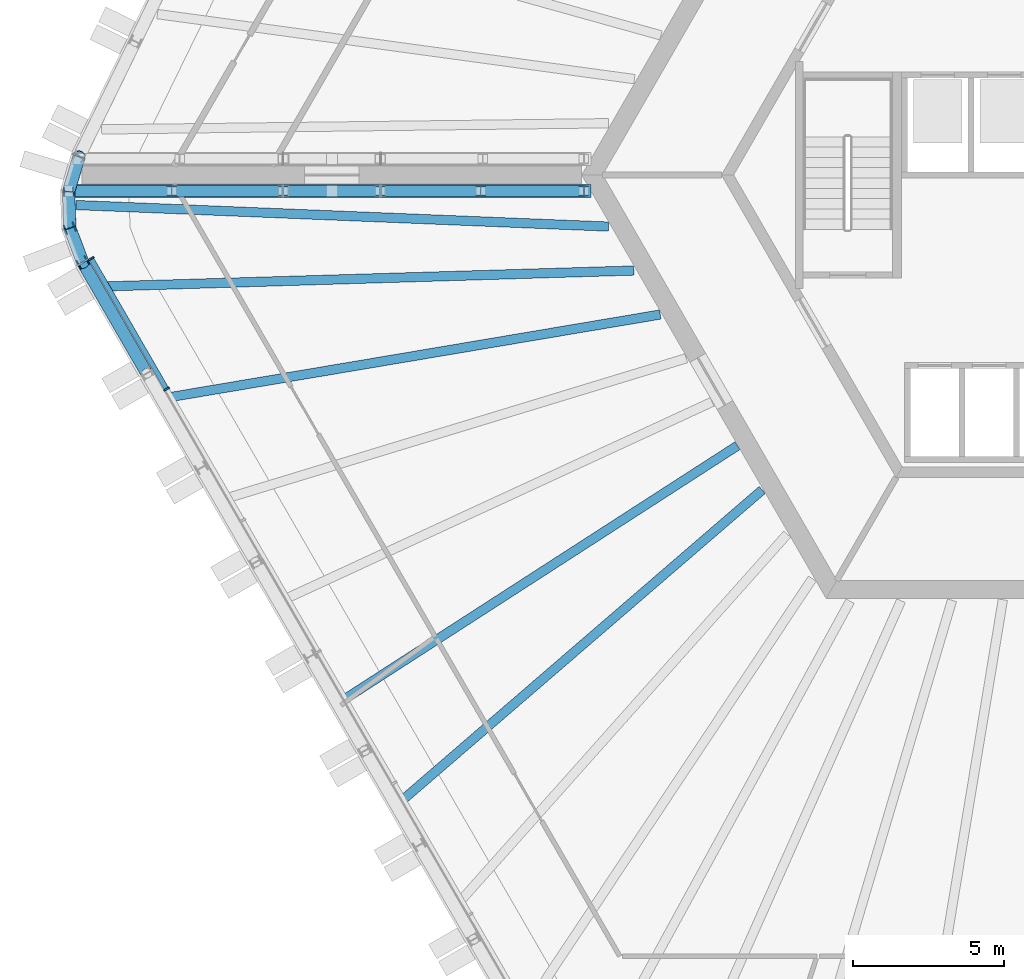
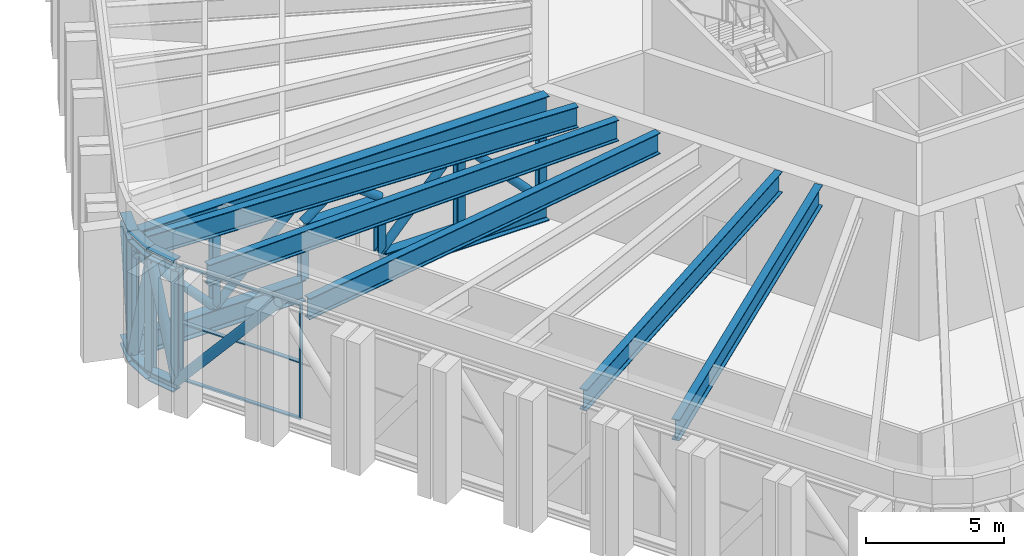
# One storey, part 3 of 27: 33 members, 5 beams, 1 element without a shape of its own.
"""IFC4 building model written with IfcOpenShell, lengths in metres."""

from ifc_helpers import new_model, si_unit, direction, frame, origin, origin_2d, place, context, subcontext, project, spatial, rectangle, hollow_circle, i_section, extrude, material, material_profile, profile_set, type_object, element, aggregate, save


model = new_model("IFC4")

# Units and contexts
model_context = context("Model", 3, precision=1e-05, world=origin(), true_north=direction((0.0, 1.0)))
body_context = subcontext(model_context, "Body", "Model", "MODEL_VIEW")
ifc_project = project(units=[si_unit("LENGTHUNIT", "METRE"), si_unit("AREAUNIT", "SQUARE_METRE"), si_unit("VOLUMEUNIT", "CUBIC_METRE"), si_unit("PLANEANGLEUNIT", "RADIAN"), si_unit("MASSUNIT", "GRAM", prefix="KILO")], contexts=[model_context])

# Site, building, storey
site_placement = place(None, origin())
site = spatial("IfcSite", under=ifc_project, at=site_placement, CompositionType="ELEMENT")
building_placement = place(site_placement, origin())
building = spatial("IfcBuilding", under=site, at=building_placement, Name="Tarnside Tower", CompositionType="ELEMENT")
storey_placement = place(building_placement, frame((0.0, 0.0, 146.699951171875)))
storey = spatial("IfcBuildingStorey", under=building, at=storey_placement, Name="L34", CompositionType="ELEMENT", Elevation=146.699951171875)

# Beams
ifc_material_1 = material(Name="Steel S355", Category="steel")
ifc_material_profile_1 = material_profile(ifc_material_1, i_section(OverallWidth=0.3076171875, OverallDepth=0.926513671875, WebThickness=0.01953125, FlangeThickness=0.031982421875, FilletRadius=0.01904296875, at=origin_2d()), Name="UB 914x305x289")
ifc_profile_set_1 = profile_set([ifc_material_profile_1], Name="Steel S355")
beam_type = type_object("IfcBeamType", Name="Floor beam UB 914x305x289", PredefinedType="BEAM", material=ifc_profile_set_1)
beam_1_placement = place(storey_placement, frame((-32.8818359375, -0.994140625, 5.036865234375), z_axis=(0.999182144126, -0.040435663221, 0.0), x_axis=(0.040435663221, 0.999182144126, 0.0)))
element("IfcBeam", 1, at=beam_1_placement, inside=storey, type_object=beam_type, Name="Floor beam C2", PredefinedType="BEAM", context=body_context, shape_type="SweptSolid", body=[
    extrude(i_section(OverallWidth=0.3076171875, OverallDepth=0.926513671875, WebThickness=0.01953125, FlangeThickness=0.031982421875, FilletRadius=0.01904296875, at=origin_2d()), origin(), (0.0, 0.0, 1.0), 17.6181640625),
])
beam_2_placement = place(storey_placement, frame((-31.857421875, -3.682861328125, 5.036865234375), z_axis=(0.999548554524, 0.030044752424, 0.0), x_axis=(-0.030044752424, 0.999548554524, 0.0)))
element("IfcBeam", 2, at=beam_2_placement, inside=storey, type_object=beam_type, Name="Floor beam F3.01", PredefinedType="BEAM", context=body_context, shape_type="SweptSolid", body=[
    extrude(i_section(OverallWidth=0.3076171875, OverallDepth=0.926513671875, WebThickness=0.01953125, FlangeThickness=0.031982421875, FilletRadius=0.01904296875, at=origin_2d()), origin(), (0.0, 0.0, 1.0), 17.421875),
])
beam_3_placement = place(storey_placement, frame((-29.7802734375, -7.344482421875, 5.036865234375), z_axis=(0.98609532445, 0.166180658012, 0.0), x_axis=(-0.166180658012, 0.98609532445, 0.0)))
element("IfcBeam", 3, at=beam_3_placement, inside=storey, type_object=beam_type, Name="Floor beam F3.02", PredefinedType="BEAM", context=body_context, shape_type="SweptSolid", body=[
    extrude(i_section(OverallWidth=0.3076171875, OverallDepth=0.926513671875, WebThickness=0.01953125, FlangeThickness=0.031982421875, FilletRadius=0.01904296875, at=origin_2d()), origin(), (0.0, 0.0, 1.0), 16.44091796875),
])
beam_4_placement = place(storey_placement, frame((-24.044189453125, -17.352294921875, 5.036865234375), z_axis=(0.840298037173, 0.542124716945, 0.0), x_axis=(-0.542124716945, 0.840298037173, 0.0)))
element("IfcBeam", 4, at=beam_4_placement, inside=storey, type_object=beam_type, Name="Floor beam F3.05", PredefinedType="BEAM", context=body_context, shape_type="SweptSolid", body=[
    extrude(i_section(OverallWidth=0.3076171875, OverallDepth=0.926513671875, WebThickness=0.01953125, FlangeThickness=0.031982421875, FilletRadius=0.01904296875, at=origin_2d()), origin(), (0.0, 0.0, 1.0), 15.498046875),
])
beam_5_placement = place(storey_placement, frame((-22.1044921875, -20.67333984375, 5.036865234375), z_axis=(0.75743565615, 0.652909815207, 0.0), x_axis=(-0.652909815207, 0.75743565615, 0.0)))
element("IfcBeam", 5, at=beam_5_placement, inside=storey, type_object=beam_type, Name="Floor beam F3.06", PredefinedType="BEAM", context=body_context, shape_type="SweptSolid", body=[
    extrude(i_section(OverallWidth=0.3076171875, OverallDepth=0.926513671875, WebThickness=0.01953125, FlangeThickness=0.031982421875, FilletRadius=0.01904296875, at=origin_2d()), origin(), (0.0, 0.0, 1.0), 15.716796875),
])

# Members
ifc_material_2 = material(Name="Steel S460", Category="steel")
ifc_material_profile_2 = material_profile(ifc_material_2, i_section(OverallWidth=0.42041015625, OverallDepth=0.9208984375, WebThickness=0.021484375, FlangeThickness=0.03662109375, FilletRadius=0.024169921875, at=origin_2d()), Name="UB 914x419x388")
ifc_profile_set_2 = profile_set([ifc_material_profile_2], Name="Steel S460")
member_type_1 = type_object("IfcMemberType", Name="Outrigger chord UB 914x419x388", PredefinedType="CHORD", material=ifc_profile_set_2)
member_1_placement = place(storey_placement, frame((-15.859619140625, -0.5302734375, 5.03955078125), z_axis=(-1.0, 0.0, 0.0), x_axis=(0.0, -1.0, 0.0)))
element("IfcMember", 6, at=member_1_placement, inside=storey, type_object=member_type_1, Name="Outrigger truss top chord OR2A L34", PredefinedType="CHORD", context=body_context, shape_type="SweptSolid", body=[
    extrude(i_section(OverallWidth=0.42041015625, OverallDepth=0.9208984375, WebThickness=0.021484375, FlangeThickness=0.03662109375, FilletRadius=0.024169921875, at=origin_2d()), origin(), (0.0, 0.0, 1.0), 17.257080078125),
])
member_2_placement = place(storey_placement, frame((-15.859619140625, -0.5302734375, 0.46044921875), z_axis=(-1.0, 0.0, 0.0), x_axis=(0.0, -1.0, 0.0)))
element("IfcMember", 7, at=member_2_placement, inside=storey, type_object=member_type_1, Name="Outrigger truss bottom chord OR2A L34", PredefinedType="CHORD", context=body_context, shape_type="SweptSolid", body=[
    extrude(i_section(OverallWidth=0.42041015625, OverallDepth=0.9208984375, WebThickness=0.021484375, FlangeThickness=0.03662109375, FilletRadius=0.024169921875, at=origin_2d()), origin(), (0.0, 0.0, 1.0), 6.959716796875),
])
member_3_placement = place(storey_placement, frame((-26.021484375, -0.5302734375, 0.46044921875), z_axis=(-1.0, 0.0, 0.0), x_axis=(0.0, -1.0, 0.0)))
element("IfcMember", 8, at=member_3_placement, inside=storey, type_object=member_type_1, Name="Outrigger truss bottom chord OR2A L34", PredefinedType="CHORD", context=body_context, shape_type="SweptSolid", body=[
    extrude(i_section(OverallWidth=0.42041015625, OverallDepth=0.9208984375, WebThickness=0.021484375, FlangeThickness=0.03662109375, FilletRadius=0.024169921875, at=origin_2d()), origin(), (0.0, 0.0, 1.0), 7.09521484375),
])
member_4_placement = place(storey_placement, frame((-22.8193359375, -0.5302734375, 2.91064453125), z_axis=(-1.0, 0.0, 0.0), x_axis=(0.0, -1.0, 0.0)))
element("IfcMember", 9, at=member_4_placement, inside=storey, type_object=member_type_1, Name="Outrigger truss lintel OR2A L34", PredefinedType="CHORD", context=body_context, shape_type="SweptSolid", body=[
    extrude(i_section(OverallWidth=0.42041015625, OverallDepth=0.9208984375, WebThickness=0.021484375, FlangeThickness=0.03662109375, FilletRadius=0.024169921875, at=origin_2d()), origin(), (0.0, 0.0, 1.0), 3.2021484375),
])
ifc_material_profile_3 = material_profile(ifc_material_1, hollow_circle(Radius=0.177734375, WallThickness=0.01611328125, at=origin_2d()), Name="CHS 355.6x16")
ifc_profile_set_3 = profile_set([ifc_material_profile_3], Name="Steel S355")
member_type_2 = type_object("IfcMemberType", Name="Outrigger diagonal CHS 355.6x16", PredefinedType="BRACE", material=ifc_profile_set_3)
member_5_placement = place(storey_placement, frame((-16.08984375, -0.5302734375, 0.921142578125), z_axis=(-0.681400481431, 0.0, 0.731910775918), x_axis=(0.0, -1.0, 0.0)))
element("IfcMember", 10, at=member_5_placement, inside=storey, type_object=member_type_2, Name="Outrigger truss diagonal OR2A 1", PredefinedType="BRACE", context=body_context, shape_type="SweptSolid", body=[
    extrude(hollow_circle(Radius=0.177734375, WallThickness=0.01611328125, at=origin_2d()), origin(), (0.0, 0.0, 1.0), 4.997802734375),
])
member_6_placement = place(storey_placement, frame((-19.495361328125, -0.5302734375, 4.5791015625), z_axis=(-0.672512970944, 0.0, -0.740085335561), x_axis=(0.0, -1.0, 0.0)))
element("IfcMember", 11, at=member_6_placement, inside=storey, type_object=member_type_2, Name="Outrigger truss diagonal OR2A 2", PredefinedType="BRACE", context=body_context, shape_type="SweptSolid", body=[
    extrude(hollow_circle(Radius=0.177734375, WallThickness=0.01611328125, at=origin_2d()), origin(), (0.0, 0.0, 1.0), 4.942626953125),
])
for number, where, z_axis, x_axis, name in (
    (12, (-22.8193359375, -0.5302734375, 3.37109375), (-0.798273071877, 0.0, 0.602295693755), (0.0, -1.0, 0.0), "Outrigger truss diagonal OR2A 3"),
    (13, (-26.021484375, -0.5302734375, 3.37109375), (0.798273071877, 0.0, 0.602295693755), (0.0, 1.0, 0.0), "Outrigger truss diagonal OR2A 4"),
):
    element("IfcMember", number, at=place(storey_placement, frame(where, z_axis=z_axis, x_axis=x_axis)), inside=storey, type_object=member_type_2, Name=name, PredefinedType="BRACE", context=body_context, shape_type="SweptSolid", body=[
        extrude(hollow_circle(Radius=0.177734375, WallThickness=0.01611328125, at=origin_2d()), origin(), (0.0, 0.0, 1.0), 2.005615234375),
    ])
member_7_placement = place(storey_placement, frame((-26.021484375, -0.5302734375, 4.5791015625), z_axis=(-0.71017780226, 0.0, -0.704022364117), x_axis=(0.0, -1.0, 0.0)))
element("IfcMember", 14, at=member_7_placement, inside=storey, type_object=member_type_2, Name="Outrigger truss diagonal OR2A 5", PredefinedType="BRACE", context=body_context, shape_type="SweptSolid", body=[
    extrude(hollow_circle(Radius=0.177734375, WallThickness=0.01611328125, at=origin_2d()), origin(), (0.0, 0.0, 1.0), 5.19580078125),
])
member_8_placement = place(storey_placement, frame((-29.71142578125, -0.5302734375, 0.921142578125), z_axis=(-0.681374311817, 0.0, 0.731935138654), x_axis=(0.0, -1.0, 0.0)))
element("IfcMember", 15, at=member_8_placement, inside=storey, type_object=member_type_2, Name="Outrigger truss diagonal OR2A 6", PredefinedType="BRACE", context=body_context, shape_type="SweptSolid", body=[
    extrude(hollow_circle(Radius=0.177734375, WallThickness=0.01611328125, at=origin_2d()), origin(), (0.0, 0.0, 1.0), 4.99755859375),
])
ifc_material_profile_4 = material_profile(ifc_material_1, i_section(OverallWidth=0.314453125, OverallDepth=0.33984375, WebThickness=0.01904296875, FlangeThickness=0.031494140625, FilletRadius=0.01513671875, at=origin_2d()), Name="UC 305x305x198")
ifc_profile_set_4 = profile_set([ifc_material_profile_4], Name="Steel S355")
member_type_3 = type_object("IfcMemberType", Name="Outrigger post UC 305x305x198", PredefinedType="POST", material=ifc_profile_set_4)
for number, where, z_axis, x_axis, name in (
    (16, (-16.08984375, -0.5302734375, 0.921142578125), (0.0, 0.0, 1.0), (-1.0, 0.0, 0.0), "Outrigger truss post OR2A 1"),
    (17, (-19.495361328125, -0.5302734375, 0.921142578125), (0.0, 0.0, 1.0), (-1.0, 0.0, 0.0), "Outrigger truss post OR2A 2"),
):
    element("IfcMember", number, at=place(storey_placement, frame(where, z_axis=z_axis, x_axis=x_axis)), inside=storey, type_object=member_type_3, Name=name, PredefinedType="POST", context=body_context, shape_type="SweptSolid", body=[
        extrude(i_section(OverallWidth=0.314453125, OverallDepth=0.33984375, WebThickness=0.01904296875, FlangeThickness=0.031494140625, FilletRadius=0.01513671875, at=origin_2d()), origin(), (0.0, 0.0, 1.0), 3.657958984375),
    ])
for number, where, z_axis, x_axis, name in (
    (18, (-22.8193359375, -0.5302734375, 0.921142578125), (0.0, 0.0, 1.0), (-1.0, 0.0, 0.0), "Outrigger truss post OR2A 3"),
    (19, (-26.021484375, -0.5302734375, 0.921142578125), (0.0, 0.0, 1.0), (-1.0, 0.0, 0.0), "Outrigger truss post OR2A 4"),
):
    element("IfcMember", number, at=place(storey_placement, frame(where, z_axis=z_axis, x_axis=x_axis)), inside=storey, type_object=member_type_3, Name=name, PredefinedType="POST", context=body_context, shape_type="SweptSolid", body=[
        extrude(i_section(OverallWidth=0.314453125, OverallDepth=0.33984375, WebThickness=0.01904296875, FlangeThickness=0.031494140625, FilletRadius=0.01513671875, at=origin_2d()), origin(), (0.0, 0.0, 1.0), 1.52880859375),
    ])
member_9_placement = place(storey_placement, frame((-29.71142578125, -0.5302734375, 0.921142578125), z_axis=(0.0, 0.0, 1.0), x_axis=(-1.0, 0.0, 0.0)))
element("IfcMember", 20, at=member_9_placement, inside=storey, type_object=member_type_3, Name="Outrigger truss post OR2A 5", PredefinedType="POST", context=body_context, shape_type="SweptSolid", body=[
    extrude(i_section(OverallWidth=0.314453125, OverallDepth=0.33984375, WebThickness=0.01904296875, FlangeThickness=0.031494140625, FilletRadius=0.01513671875, at=origin_2d()), origin(), (0.0, 0.0, 1.0), 3.657958984375),
])

# Curtain wall, members
ifc_material_3 = material(Name="Sky lobby glazing wall", Category="glass")
curtain_wall_type = type_object("IfcCurtainWallType", Name="Sky lobby glazing wall", PredefinedType="NOTDEFINED", material=ifc_material_3)
curtain_wall_placement = place(storey_placement, origin())
curtain_wall = element("IfcCurtainWall", 21, at=curtain_wall_placement, inside=storey, type_object=curtain_wall_type, Name="Sky lobby glazing L34 F3", PredefinedType="NOTDEFINED")
ifc_material_4 = material(Name="Aluminium alloy 6063", Category="aluminium")
ifc_material_profile_5 = material_profile(ifc_material_4, rectangle(XDim=0.199951171875, YDim=0.06005859375, at=origin_2d()), Name="Sky lobby glazing mullion 60 x 200")
ifc_profile_set_5 = profile_set([ifc_material_profile_5], Name="Aluminium alloy 6063")
member_type_4 = type_object("IfcMemberType", Name="Sky lobby glazing mullion 60 x 200", PredefinedType="MULLION", material=ifc_profile_set_5)
member_10_placement = place(storey_placement, frame((-32.374755859375, -2.76318359375, 0.0), z_axis=(0.0, 0.0, 1.0), x_axis=(0.866025403793, 0.499999999985, 0.0)))
member_10 = element("IfcMember", 22, at=member_10_placement, type_object=member_type_4, Name="CW4 mullion 1", PredefinedType="MULLION", context=body_context, shape_type="SweptSolid", body=[
    extrude(rectangle(XDim=0.199951171875, YDim=0.06005859375, at=origin_2d()), origin(), (0.0, 0.0, 1.0), 5.0634765625),
])
member_11_placement = place(storey_placement, frame((-29.8837890625, -7.077392578125, 0.0), z_axis=(0.0, 0.0, 1.0), x_axis=(0.866025403793, 0.499999999985, 0.0)))
member_11 = element("IfcMember", 23, at=member_11_placement, type_object=member_type_4, Name="CW4 mullion 2", PredefinedType="MULLION", context=body_context, shape_type="SweptSolid", body=[
    extrude(rectangle(XDim=0.199951171875, YDim=0.06005859375, at=origin_2d()), origin(), (0.0, 0.0, 1.0), 5.0634765625),
])
ifc_material_profile_6 = material_profile(ifc_material_4, rectangle(XDim=0.159912109375, YDim=0.06005859375, at=origin_2d()), Name="Sky lobby glazing transom 60 x 160")
ifc_profile_set_6 = profile_set([ifc_material_profile_6], Name="Aluminium alloy 6063")
member_type_5 = type_object("IfcMemberType", Name="Sky lobby glazing transom 60 x 160", PredefinedType="USERDEFINED", material=ifc_profile_set_6)
member_12_placement = place(storey_placement, frame((-32.359619140625, -2.7890625, 0.030029296875), z_axis=(0.499964345688, -0.866045987833, 0.0), x_axis=(0.866045987833, 0.499964345688, 0.0)))
member_12 = element("IfcMember", 24, at=member_12_placement, type_object=member_type_5, Name="CW4 transom 1.1", ObjectType="TRANSOM", PredefinedType="USERDEFINED", context=body_context, shape_type="SweptSolid", body=[
    extrude(rectangle(XDim=0.159912109375, YDim=0.06005859375, at=origin_2d()), origin(), (0.0, 0.0, 1.0), 4.921630859375),
])
member_13_placement = place(storey_placement, frame((-32.359619140625, -2.7890625, 2.53173828125), z_axis=(0.499964345688, -0.866045987833, 0.0), x_axis=(0.866045987833, 0.499964345688, 0.0)))
member_13 = element("IfcMember", 25, at=member_13_placement, type_object=member_type_5, Name="CW4 transom 1.2", ObjectType="TRANSOM", PredefinedType="USERDEFINED", context=body_context, shape_type="SweptSolid", body=[
    extrude(rectangle(XDim=0.159912109375, YDim=0.06005859375, at=origin_2d()), origin(), (0.0, 0.0, 1.0), 4.921630859375),
])
member_14_placement = place(storey_placement, frame((-32.359619140625, -2.7890625, 5.033447265625), z_axis=(0.499964345688, -0.866045987833, 0.0), x_axis=(0.866045987833, 0.499964345688, 0.0)))
member_14 = element("IfcMember", 26, at=member_14_placement, type_object=member_type_5, Name="CW4 transom 1.3", ObjectType="TRANSOM", PredefinedType="USERDEFINED", context=body_context, shape_type="SweptSolid", body=[
    extrude(rectangle(XDim=0.159912109375, YDim=0.06005859375, at=origin_2d()), origin(), (0.0, 0.0, 1.0), 4.921630859375),
])
aggregate(curtain_wall, [member_10, member_11, member_12, member_13, member_14])

# Members
ifc_material_profile_7 = material_profile(ifc_material_1, i_section(OverallWidth=0.406982421875, OverallDepth=0.4189453125, WebThickness=0.030517578125, FlangeThickness=0.04931640625, FilletRadius=0.01513671875, at=origin_2d()), Name="UC 356x406x393")
ifc_profile_set_7 = profile_set([ifc_material_profile_7], Name="Steel S355")
member_type_6 = type_object("IfcMemberType", Name="Truss chord UC 356x406x393", PredefinedType="CHORD", material=ifc_profile_set_7)
for number, where, z_axis, x_axis, name in (
    (27, (-32.77685546875, 0.605224609375, -0.09033203125), (-0.286736058109, -0.958009620505, 0.0), (0.958009620505, -0.286736058109, 0.0), "Belt truss bottom chord L34 corner2.1"),
    (28, (-33.123291015625, -0.55224609375, -0.09033203125), (0.034754567516, -0.999395877536, 0.0), (0.999395877536, 0.034754567516, 0.0), "Belt truss bottom chord L34 corner2.2"),
    (29, (-33.081298828125, -1.759765625, -0.09033203125), (0.353027214741, -0.935613053378, 0.0), (0.935613053378, 0.353027214741, 0.0), "Belt truss bottom chord L34 corner2.3"),
):
    element("IfcMember", number, at=place(storey_placement, frame(where, z_axis=z_axis, x_axis=x_axis)), inside=storey, type_object=member_type_6, Name=name, PredefinedType="CHORD", context=body_context, shape_type="SweptSolid", body=[
        extrude(i_section(OverallWidth=0.406982421875, OverallDepth=0.4189453125, WebThickness=0.030517578125, FlangeThickness=0.04931640625, FilletRadius=0.01513671875, at=origin_2d()), origin(), (0.0, 0.0, 1.0), 1.208251953125),
    ])
ifc_material_profile_8 = material_profile(ifc_material_2, i_section(OverallWidth=0.412109375, OverallDepth=0.4365234375, WebThickness=0.035888671875, FlangeThickness=0.05810546875, FilletRadius=0.01513671875, at=origin_2d()), Name="UC 356x406x467")
ifc_profile_set_8 = profile_set([ifc_material_profile_8], Name="Steel S460")
member_type_7 = type_object("IfcMemberType", Name="Truss chord UC 356x406x467", PredefinedType="CHORD", material=ifc_profile_set_8)
for number, where, z_axis, x_axis, name in (
    (30, (-32.77685546875, 0.605224609375, 5.28173828125), (-0.286736058109, -0.958009620505, 0.0), (0.958009620505, -0.286736058109, 0.0), "Belt truss top chord L34 corner2.1"),
    (31, (-33.123291015625, -0.55224609375, 5.28173828125), (0.034754567516, -0.999395877536, 0.0), (0.999395877536, 0.034754567516, 0.0), "Belt truss top chord L34 corner2.2"),
    (32, (-33.081298828125, -1.759765625, 5.28173828125), (0.353027214741, -0.935613053378, 0.0), (0.935613053378, 0.353027214741, 0.0), "Belt truss top chord L34 corner2.3"),
):
    element("IfcMember", number, at=place(storey_placement, frame(where, z_axis=z_axis, x_axis=x_axis)), inside=storey, type_object=member_type_7, Name=name, PredefinedType="CHORD", context=body_context, shape_type="SweptSolid", body=[
        extrude(i_section(OverallWidth=0.412109375, OverallDepth=0.4365234375, WebThickness=0.035888671875, FlangeThickness=0.05810546875, FilletRadius=0.01513671875, at=origin_2d()), origin(), (0.0, 0.0, 1.0), 1.208251953125),
    ])
ifc_material_profile_9 = material_profile(ifc_material_1, hollow_circle(Radius=0.203125, WallThickness=0.01611328125, at=origin_2d()), Name="CHS 406.4x16")
ifc_profile_set_9 = profile_set([ifc_material_profile_9], Name="Steel S355")
member_type_8 = type_object("IfcMemberType", Name="Truss diagonal CHS 406.4x16", PredefinedType="BRACE", material=ifc_profile_set_9)
for number, where, z_axis, x_axis, name in (
    (33, (-32.77685546875, 0.605224609375, 5.0634765625), (-0.068064471098, -0.227409201886, -0.97141766644), (0.958009620505, -0.286736058109, 0.0), "Belt truss diagonal L34 20"),
    (34, (-33.123291015625, -0.55224609375, 0.119140625), (0.008250221287, -0.237241828396, 0.97141559011), (0.999395877536, 0.034754567516, 0.0), "Belt truss diagonal L34 21"),
    (35, (-33.081298828125, -1.759765625, 5.0634765625), (0.083797651916, -0.222085362548, -0.971419603094), (0.935613053378, 0.353027214741, 0.0), "Belt truss diagonal L34 22"),
):
    element("IfcMember", number, at=place(storey_placement, frame(where, z_axis=z_axis, x_axis=x_axis)), inside=storey, type_object=member_type_8, Name=name, PredefinedType="BRACE", context=body_context, shape_type="SweptSolid", body=[
        extrude(hollow_circle(Radius=0.203125, WallThickness=0.01611328125, at=origin_2d()), origin(), (0.0, 0.0, 1.0), 5.08984375),
    ])
member_15_placement = place(storey_placement, frame((-32.65478515625, -2.89013671875, 0.119140625), z_axis=(0.325277002391, -0.563403468287, 0.75945467517), x_axis=(0.866028160477, 0.499995225238, 0.0)))
element("IfcMember", 36, at=member_15_placement, inside=storey, type_object=member_type_8, Name="Belt truss diagonal L34 23", PredefinedType="BRACE", context=body_context, shape_type="SweptSolid", body=[
    extrude(hollow_circle(Radius=0.203125, WallThickness=0.01611328125, at=origin_2d()), origin(), (0.0, 0.0, 1.0), 6.510498046875),
])
ifc_material_profile_10 = material_profile(ifc_material_1, i_section(OverallWidth=0.314453125, OverallDepth=0.33984375, WebThickness=0.01904296875, FlangeThickness=0.031494140625, FilletRadius=0.01513671875, at=origin_2d()), Name="UC 305x305x198")
ifc_profile_set_10 = profile_set([ifc_material_profile_10], Name="Steel S355")
member_type_9 = type_object("IfcMemberType", Name="Truss post UC 305x305x198", PredefinedType="POST", material=ifc_profile_set_10)
for number, where, z_axis, x_axis, name in (
    (37, (-33.123291015625, -0.55224609375, 0.119140625), (0.0, 0.0, 1.0), (0.034899496703, -0.999390827019, 0.0), "Belt truss post L34 21"),
    (38, (-33.081298828125, -1.759765625, 0.119140625), (0.0, 0.0, 1.0), (0.352930564719, -0.935649515837, 0.0), "Belt truss post L34 22"),
    (39, (-32.65478515625, -2.89013671875, 0.119140625), (0.0, 0.0, 1.0), (0.5, -0.866025403784, 0.0), "Belt truss post L34 23"),
):
    element("IfcMember", number, at=place(storey_placement, frame(where, z_axis=z_axis, x_axis=x_axis)), inside=storey, type_object=member_type_9, Name=name, PredefinedType="POST", context=body_context, shape_type="SweptSolid", body=[
        extrude(i_section(OverallWidth=0.314453125, OverallDepth=0.33984375, WebThickness=0.01904296875, FlangeThickness=0.031494140625, FilletRadius=0.01513671875, at=origin_2d()), origin(), (0.0, 0.0, 1.0), 4.9443359375),
    ])

save(model, "model.ifc")
